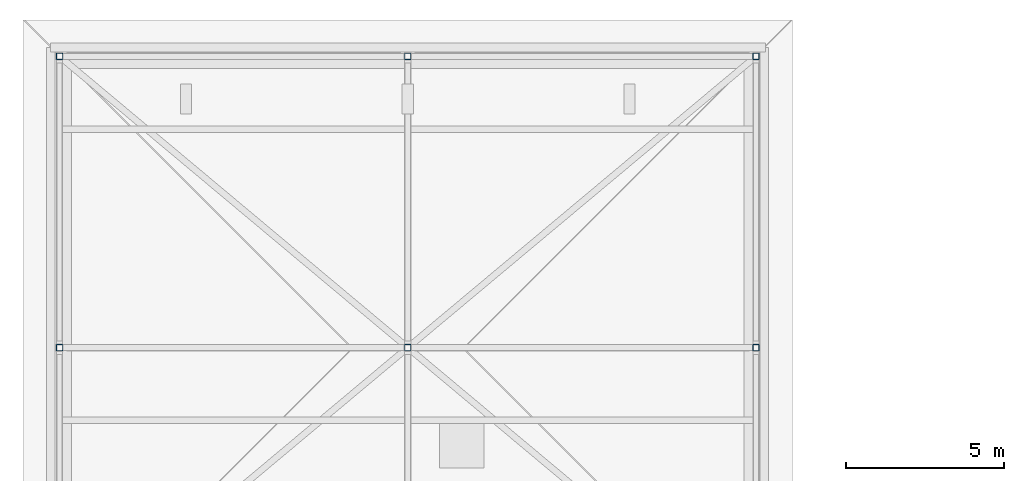
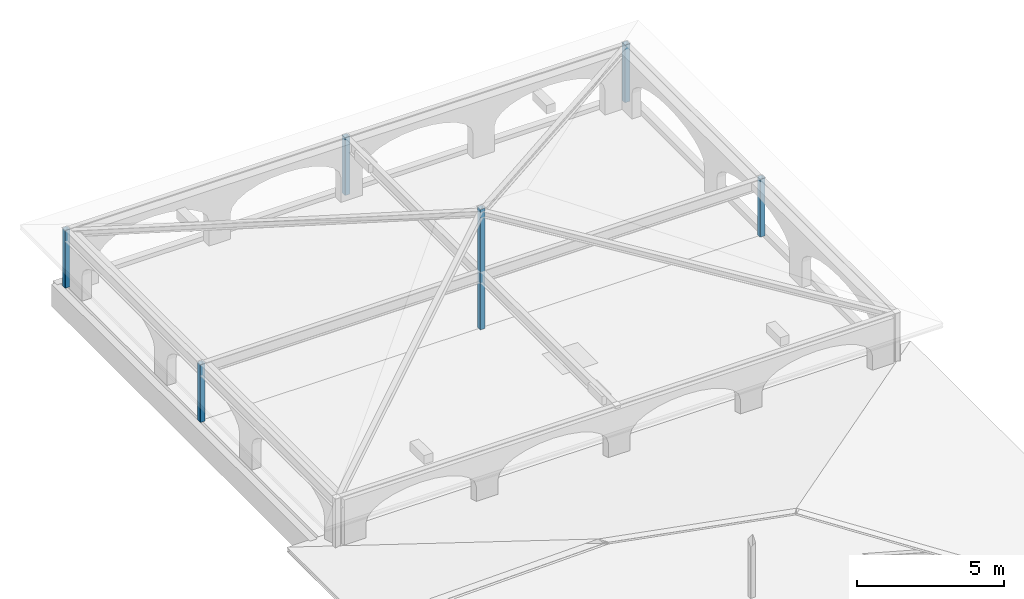
# One storey, part 2 of 5: 6 columns.
"""IFC4 building model written with IfcOpenShell, lengths in metres."""

import ifcopenshell
import ifcopenshell.guid

model = None  # the IFC model being written
_history = None  # IfcOwnerHistory: only IFC2X3 demands one
_inside = {}  # id of a spatial element -> (the spatial element, [elements in it])
_under = {}  # id of a project, library or spatial element -> (it, [spatial elements below it])
_declared = {}  # id of a project -> (the project, [libraries it declares])
_typed = {}  # id of a type object -> (the type object, [elements of that type])
_made_of = {}  # id of a material, layer set ... -> (it, [elements and type objects made of it])


def new_model(schema):
    """Start an empty IFC model of exactly this schema.

    Asked for "IFC4X3", IfcOpenShell would pick the latest addendum, in which some entities
    have other attributes; the version numbers below select the first issue.
    IFC2X3 requires an IfcOwnerHistory on every rooted entity: one is made here for all.
    """
    global model, _history
    if schema == "IFC4X3":
        model = ifcopenshell.file(schema_version=(4, 3, 0, 0))
    else:
        model = ifcopenshell.file(schema=schema)
    _inside.clear()
    _under.clear()
    _declared.clear()
    _typed.clear()
    _made_of.clear()
    _history = None
    if model.schema == "IFC2X3":
        org = make("IfcOrganization", Name="unknown")
        user = make(
            "IfcPersonAndOrganization",
            ThePerson=make("IfcPerson", FamilyName="unknown"),
            TheOrganization=org,
        )
        app = make(
            "IfcApplication",
            ApplicationDeveloper=org,
            Version="unknown",
            ApplicationFullName="unknown",
            ApplicationIdentifier="unknown",
        )
        _history = make(
            "IfcOwnerHistory",
            OwningUser=user,
            OwningApplication=app,
            ChangeAction="ADDED",
            CreationDate=0,
        )
    return model


def make(cls, **values):
    """One entity of the class cls with the attributes given. An attribute that is None is left unset."""
    return model.create_entity(
        cls, **{name: value for name, value in values.items() if value is not None}
    )


def rooted(cls, **values):
    """An entity with a GlobalId (a new one), such as an element, a storey or a relation."""
    return make(cls, GlobalId=ifcopenshell.guid.new(), OwnerHistory=_history, **values)


def si_unit(unit_type, name, prefix=None):
    """IfcSIUnit, for example si_unit("LENGTHUNIT", "METRE", prefix="MILLI")."""
    return make("IfcSIUnit", UnitType=unit_type, Prefix=prefix, Name=name)


def assignment(units):
    """IfcUnitAssignment: the units of a project."""
    return None if units is None else make("IfcUnitAssignment", Units=units)


def point(xyz):
    """IfcCartesianPoint."""
    return None if xyz is None else make("IfcCartesianPoint", Coordinates=xyz)


def direction(xyz):
    """IfcDirection."""
    return None if xyz is None else make("IfcDirection", DirectionRatios=xyz)


def frame(location, z_axis=None, x_axis=None):
    """IfcAxis2Placement3D, a coordinate frame: its origin and axes. An axis left out is left unset."""
    return make(
        "IfcAxis2Placement3D",
        Location=point(location),
        Axis=direction(z_axis),
        RefDirection=direction(x_axis),
    )


def frame_2d(location, x_axis=None):
    """IfcAxis2Placement2D, a coordinate frame in the plane: its origin and x axis."""
    return make(
        "IfcAxis2Placement2D", Location=point(location), RefDirection=direction(x_axis)
    )


def origin():
    """The frame at (0, 0, 0) with its axes left unset."""
    return frame((0.0, 0.0, 0.0))


def origin_2d():
    """The frame at (0, 0) in the plane with its x axis left unset."""
    return frame_2d((0.0, 0.0))


def place(relative_to, where):
    """IfcLocalPlacement: puts the frame where relative to a parent placement (None: the world)."""
    return make(
        "IfcLocalPlacement", PlacementRelTo=relative_to, RelativePlacement=where
    )


def context(
    kind, dimensions, precision=None, world=None, true_north=None, identifier=None
):
    """IfcGeometricRepresentationContext, for example the 3D "Model" context."""
    return make(
        "IfcGeometricRepresentationContext",
        ContextIdentifier=identifier,
        ContextType=kind,
        CoordinateSpaceDimension=dimensions,
        Precision=precision,
        WorldCoordinateSystem=world,
        TrueNorth=true_north,
    )


def subcontext(parent, identifier, kind, view, scale=None):
    """IfcGeometricRepresentationSubContext, for example "Body" below "Model"."""
    return make(
        "IfcGeometricRepresentationSubContext",
        ContextIdentifier=identifier,
        ContextType=kind,
        ParentContext=parent,
        TargetScale=scale,
        TargetView=view,
    )


def project(units=None, contexts=None):
    """IfcProject with its units and contexts."""
    return rooted(
        "IfcProject",
        Name="project",
        RepresentationContexts=contexts,
        UnitsInContext=assignment(units),
    )


def spatial(cls, under=None, at=None, **own):
    """A site, building, storey or space (cls), placed at a placement, below another one or the project."""
    s = rooted(cls, ObjectPlacement=at, **own)
    if under is not None:
        _under.setdefault(under.id(), (under, []))[1].append(s)
    return s


def profile(cls, at=None, kind="AREA", **sizes):
    """A parametric profile (cls). Its sizes go by their IFC names, for example OverallWidth=200.0."""
    return make(cls, ProfileType=kind, Position=at, **sizes)


def hollow_rectangle(**sizes):
    """IfcRectangleHollowProfileDef."""
    return profile("IfcRectangleHollowProfileDef", **sizes)


def extrude(swept, where, along, depth):
    """IfcExtrudedAreaSolid: the profile swept, set in the frame where, extruded along a direction by depth."""
    return make(
        "IfcExtrudedAreaSolid",
        SweptArea=swept,
        Position=where,
        ExtrudedDirection=direction(along),
        Depth=depth,
    )


def shape(context_of_items, identifier, shape_type, items):
    """IfcShapeRepresentation: the items that make up one representation, for example the "Body"."""
    return make(
        "IfcShapeRepresentation",
        ContextOfItems=context_of_items,
        RepresentationIdentifier=identifier,
        RepresentationType=shape_type,
        Items=items,
    )


def material(Name=None, Category=None):
    """IfcMaterial."""
    return make("IfcMaterial", Name=Name, Category=Category)


def material_profile(
    of_material, cross_section, Name=None, Category=None, Priority=None
):
    """IfcMaterialProfile: a cross section and its material."""
    return make(
        "IfcMaterialProfile",
        Name=Name,
        Material=of_material,
        Profile=cross_section,
        Priority=Priority,
        Category=Category,
    )


def profile_set(profiles, Name=None, composite=None):
    """IfcMaterialProfileSet."""
    return make(
        "IfcMaterialProfileSet",
        Name=Name,
        MaterialProfiles=profiles,
        CompositeProfile=composite,
    )


def made_of(thing, what):
    """Note that an element or type object is made of a material, layer set ...; save() writes the relation."""
    if what is not None:
        _made_of.setdefault(what.id(), (what, []))[1].append(thing)
    return thing


def type_object(cls, material=None, **own):
    """A type object (cls), such as IfcWallType, which elements share."""
    return made_of(rooted(cls, **own), material)


def element(
    cls,
    number,
    at=None,
    inside=None,
    cuts=None,
    type_object=None,
    material=None,
    context=None,
    identifier="Body",
    shape_type=None,
    held_by="IfcProductDefinitionShape",
    body=None,
    shapes=None,
    **own,
):
    """One element of the class cls, such as IfcWall. Its Tag is "e" and its number.

    at: its placement. inside: the storey or other place that contains it. cuts: it is an
    opening in that element (IfcRelVoidsElement). A single representation is given by context,
    identifier, shape_type and body (its items); several are given by shapes. held_by: the class
    of the entity that holds the representations. save() writes the other relations.
    """
    e = rooted(cls, Tag="e%d" % number, ObjectPlacement=at, **own)
    if body is not None:
        shapes = [shape(context, identifier, shape_type, body)]
    if shapes is not None:
        e.Representation = make(held_by, Representations=shapes)
    if inside is not None:
        _inside.setdefault(inside.id(), (inside, []))[1].append(e)
    if cuts is not None:
        rooted(
            "IfcRelVoidsElement", RelatingBuildingElement=cuts, RelatedOpeningElement=e
        )
    if type_object is not None:
        _typed.setdefault(type_object.id(), (type_object, []))[1].append(e)
    return made_of(e, material)


def aggregate(whole, parts):
    """IfcRelAggregates: a whole, such as a stair, and the parts it consists of."""
    return rooted("IfcRelAggregates", RelatingObject=whole, RelatedObjects=parts)


def save(model, path):
    """Write the relations noted so far, then the file.

    IfcRelAggregates (storeys below a building ...), IfcRelContainedInSpatialStructure (elements
    in a storey), IfcRelDefinesByType, IfcRelAssociatesMaterial and IfcRelDeclares: one each for
    every whole, place, type object, material and project.
    """
    for whole, parts in _under.values():
        aggregate(whole, parts)
    for where, things in _inside.values():
        rooted(
            "IfcRelContainedInSpatialStructure",
            RelatedElements=things,
            RelatingStructure=where,
        )
    for kind, things in _typed.values():
        rooted("IfcRelDefinesByType", RelatedObjects=things, RelatingType=kind)
    for what, things in _made_of.values():
        rooted("IfcRelAssociatesMaterial", RelatedObjects=things, RelatingMaterial=what)
    for by, libraries in _declared.values():
        rooted("IfcRelDeclares", RelatingContext=by, RelatedDefinitions=libraries)
    model.write(path)


model = new_model("IFC4")

# Units and contexts
model_context = context("Model", 3, precision=1e-05, world=origin(), true_north=direction((0.0, 1.0)))
body_context = subcontext(model_context, "Body", "Model", "MODEL_VIEW")
ifc_project = project(units=[si_unit("LENGTHUNIT", "METRE"), si_unit("AREAUNIT", "SQUARE_METRE"), si_unit("VOLUMEUNIT", "CUBIC_METRE"), si_unit("PLANEANGLEUNIT", "RADIAN"), si_unit("MASSUNIT", "GRAM", prefix="KILO")], contexts=[model_context])

# Site, building, storey
site_placement = place(None, origin())
site = spatial("IfcSite", under=ifc_project, at=site_placement, CompositionType="ELEMENT")
building_placement = place(site_placement, origin())
building = spatial("IfcBuilding", under=site, at=building_placement, Name="Caurita Quay Ferry Terminal", CompositionType="ELEMENT")
storey_placement = place(building_placement, frame((0.0, 0.0, 22.5)))
storey = spatial("IfcBuildingStorey", under=building, at=storey_placement, Name="RF", CompositionType="ELEMENT", Elevation=22.5)

# Columns
ifc_material = material(Name="Hollow structural steel ASTM A500 Gr. C", Category="steel")
ifc_material_profile = material_profile(ifc_material, hollow_rectangle(XDim=0.203125, YDim=0.203125, WallThickness=0.0087890625, InnerFilletRadius=0.0087890625, OuterFilletRadius=0.017822265625, at=origin_2d()), Name="HSS8X8X3/8")
ifc_profile_set = profile_set([ifc_material_profile], Name="Hollow structural steel ASTM A500 Gr. C")
column_type = type_object("IfcColumnType", Name="COL-HSS-04", PredefinedType="COLUMN", material=ifc_profile_set)
column_1_placement = place(storey_placement, frame((0.0, 107.800048828125, 0.0), z_axis=(0.0, 0.0, 1.0), x_axis=(1.0, 0.0, 0.0)))
element("IfcColumn", 1, at=column_1_placement, inside=storey, type_object=column_type, Name="Mirador Belvedere Column W", PredefinedType="COLUMN", context=body_context, shape_type="SweptSolid", body=[
    extrude(hollow_rectangle(XDim=0.203125, YDim=0.203125, WallThickness=0.0087890625, InnerFilletRadius=0.0087890625, OuterFilletRadius=0.017822265625, at=origin_2d()), origin(), (0.0, 0.0, 1.0), 2.39990234375),
])
column_2_placement = place(storey_placement, frame((11.0, 107.800048828125, 0.0), z_axis=(0.0, 0.0, 1.0), x_axis=(1.0, 0.0, 0.0)))
element("IfcColumn", 2, at=column_2_placement, inside=storey, type_object=column_type, Name="Mirador Belvedere Column C", PredefinedType="COLUMN", context=body_context, shape_type="SweptSolid", body=[
    extrude(hollow_rectangle(XDim=0.203125, YDim=0.203125, WallThickness=0.0087890625, InnerFilletRadius=0.0087890625, OuterFilletRadius=0.017822265625, at=origin_2d()), origin(), (0.0, 0.0, 1.0), 5.0),
])
for number, where, z_axis, x_axis, name in (
    (3, (22.0, 107.800048828125, 0.0), (0.0, 0.0, 1.0), (1.0, 0.0, 0.0), "Mirador Belvedere Column E"),
    (4, (0.0, 117.0, 0.0), (0.0, 0.0, 1.0), (1.0, 0.0, 0.0), "Mirador Belvedere Column NW"),
    (5, (11.0, 117.0, 0.0), (0.0, 0.0, 1.0), (1.0, 0.0, 0.0), "Mirador Belvedere Column N"),
    (6, (22.0, 117.0, 0.0), (0.0, 0.0, 1.0), (1.0, 0.0, 0.0), "Mirador Belvedere Column NE"),
):
    element("IfcColumn", number, at=place(storey_placement, frame(where, z_axis=z_axis, x_axis=x_axis)), inside=storey, type_object=column_type, Name=name, PredefinedType="COLUMN", context=body_context, shape_type="SweptSolid", body=[
        extrude(hollow_rectangle(XDim=0.203125, YDim=0.203125, WallThickness=0.0087890625, InnerFilletRadius=0.0087890625, OuterFilletRadius=0.017822265625, at=origin_2d()), origin(), (0.0, 0.0, 1.0), 2.39990234375),
    ])

save(model, "model.ifc")
